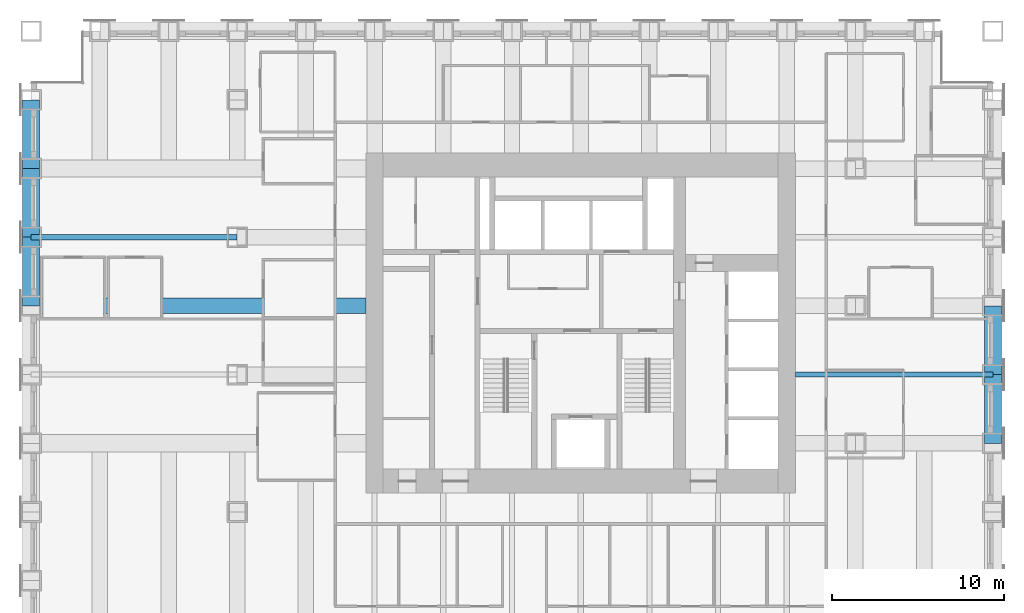
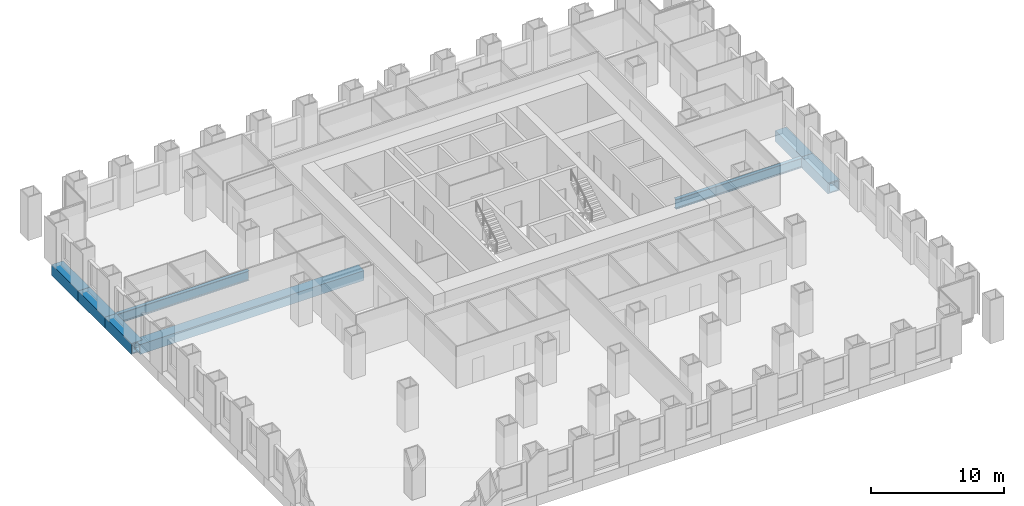
# One storey, part 5 of 15: 8 beams.
"""IFC4 building model written with IfcOpenShell, lengths in metres."""

from ifc_helpers import new_model, si_unit, direction, frame, origin, origin_2d, place, context, subcontext, project, spatial, hollow_rectangle, i_section, extrude, material, material_profile, profile_set, type_object, element, save


model = new_model("IFC4")

# Units and contexts
model_context = context("Model", 3, precision=1e-05, world=origin(), true_north=direction((0.0, 1.0)))
body_context = subcontext(model_context, "Body", "Model", "MODEL_VIEW")
ifc_project = project(units=[si_unit("LENGTHUNIT", "METRE"), si_unit("AREAUNIT", "SQUARE_METRE"), si_unit("VOLUMEUNIT", "CUBIC_METRE"), si_unit("PLANEANGLEUNIT", "RADIAN"), si_unit("MASSUNIT", "GRAM", prefix="KILO")], contexts=[model_context])

# Site, building, storey
site_placement = place(None, origin())
site = spatial("IfcSite", under=ifc_project, at=site_placement, CompositionType="ELEMENT")
building_placement = place(site_placement, origin())
building = spatial("IfcBuilding", under=site, at=building_placement, Name="Rimbunsela Tower", CompositionType="ELEMENT")
storey_placement = place(building_placement, frame((0.0, 0.0, 23.0)))
storey = spatial("IfcBuildingStorey", under=building, at=storey_placement, Name="L05", CompositionType="ELEMENT", Elevation=23.0)

# Beams
ifc_material_1 = material(Name="Steel BJ 55 (fy 410 MPa)", Category="steel")
ifc_material_profile_1 = material_profile(ifc_material_1, hollow_rectangle(XDim=1.0, YDim=1.0, WallThickness=0.10009765625, at=origin_2d()), Name="BOX 1000x1000x100")
ifc_profile_set_1 = profile_set([ifc_material_profile_1], Name="Steel BJ 55 (fy 410 MPa)")
beam_type_1 = type_object("IfcBeamType", Name="Beam BOX 1000x1000x100", PredefinedType="BEAM", material=ifc_profile_set_1)
for number, where, z_axis, x_axis, name in (
    (1, (-2.0, 28.0, -0.64990234375), (0.0, 1.0, 0.0), (-1.0, 0.0, 0.0), "Beam B3 L05"),
    (2, (-2.0, 32.0, -0.64990234375), (0.0, 1.0, 0.0), (-1.0, 0.0, 0.0), "Beam B3 L05"),
    (3, (-2.0, 36.0, -0.64990234375), (0.0, 1.0, 0.0), (-1.0, 0.0, 0.0), "Beam B3 L05"),
    (4, (54.0, 20.0, -0.64990234375), (0.0, 1.0, 0.0), (-1.0, 0.0, 0.0), "Beam B3 L05"),
    (5, (54.0, 24.0, -0.64990234375), (0.0, 1.0, 0.0), (-1.0, 0.0, 0.0), "Beam B3 L05"),
):
    element("IfcBeam", number, at=place(storey_placement, frame(where, z_axis=z_axis, x_axis=x_axis)), inside=storey, type_object=beam_type_1, Name=name, PredefinedType="BEAM", context=body_context, shape_type="SweptSolid", body=[
        extrude(hollow_rectangle(XDim=1.0, YDim=1.0, WallThickness=0.10009765625, at=origin_2d()), origin(), (0.0, 0.0, 1.0), 4.0),
    ])
ifc_material_2 = material(Name="Steel BJ 55 (fy 410 MPa)", Category="steel")
ifc_material_profile_2 = material_profile(ifc_material_2, hollow_rectangle(XDim=0.89990234375, YDim=0.89990234375, WallThickness=0.06005859375, at=origin_2d()), Name="BOX 900x900x60")
ifc_profile_set_2 = profile_set([ifc_material_profile_2], Name="Steel BJ 55 (fy 410 MPa)")
beam_type_2 = type_object("IfcBeamType", Name="Beam BOX 900x900x60", PredefinedType="BEAM", material=ifc_profile_set_2)
beam_1_placement = place(storey_placement, frame((-2.0, 28.0, -0.60009765625), z_axis=(1.0, 0.0, 0.0), x_axis=(0.0, 1.0, 0.0)))
element("IfcBeam", 6, at=beam_1_placement, inside=storey, type_object=beam_type_2, Name="Beam B1 L05", PredefinedType="BEAM", context=body_context, shape_type="SweptSolid", body=[
    extrude(hollow_rectangle(XDim=0.89990234375, YDim=0.89990234375, WallThickness=0.06005859375, at=origin_2d()), origin(), (0.0, 0.0, 1.0), 19.5),
])
ifc_material_3 = material(Name="Steel BJ 55 (fy 410 MPa)", Category="steel")
ifc_material_profile_3 = material_profile(ifc_material_3, i_section(OverallWidth=0.300048828125, OverallDepth=0.89990234375, WebThickness=0.01611328125, FlangeThickness=0.028076171875, FilletRadius=0.028076171875, at=origin_2d()), Name="H 900x300x16x28")
ifc_profile_set_3 = profile_set([ifc_material_profile_3], Name="Steel BJ 55 (fy 410 MPa)")
beam_type_3 = type_object("IfcBeamType", Name="Beam H 900x300x16x28", PredefinedType="BEAM", material=ifc_profile_set_3)
beam_2_placement = place(storey_placement, frame((-2.0, 32.0, -0.60009765625), z_axis=(1.0, 0.0, 0.0), x_axis=(0.0, 1.0, 0.0)))
element("IfcBeam", 7, at=beam_2_placement, inside=storey, type_object=beam_type_3, Name="Beam B2 L05", PredefinedType="BEAM", context=body_context, shape_type="SweptSolid", body=[
    extrude(i_section(OverallWidth=0.300048828125, OverallDepth=0.89990234375, WebThickness=0.01611328125, FlangeThickness=0.028076171875, FilletRadius=0.028076171875, at=origin_2d()), origin(), (0.0, 0.0, 1.0), 12.0),
])
beam_3_placement = place(storey_placement, frame((42.5, 24.0, -0.60009765625), z_axis=(1.0, 0.0, 0.0), x_axis=(0.0, 1.0, 0.0)))
element("IfcBeam", 8, at=beam_3_placement, inside=storey, type_object=beam_type_3, Name="Beam B2 L05", PredefinedType="BEAM", context=body_context, shape_type="SweptSolid", body=[
    extrude(i_section(OverallWidth=0.300048828125, OverallDepth=0.89990234375, WebThickness=0.01611328125, FlangeThickness=0.028076171875, FilletRadius=0.028076171875, at=origin_2d()), origin(), (0.0, 0.0, 1.0), 11.5),
])

save(model, "model.ifc")
